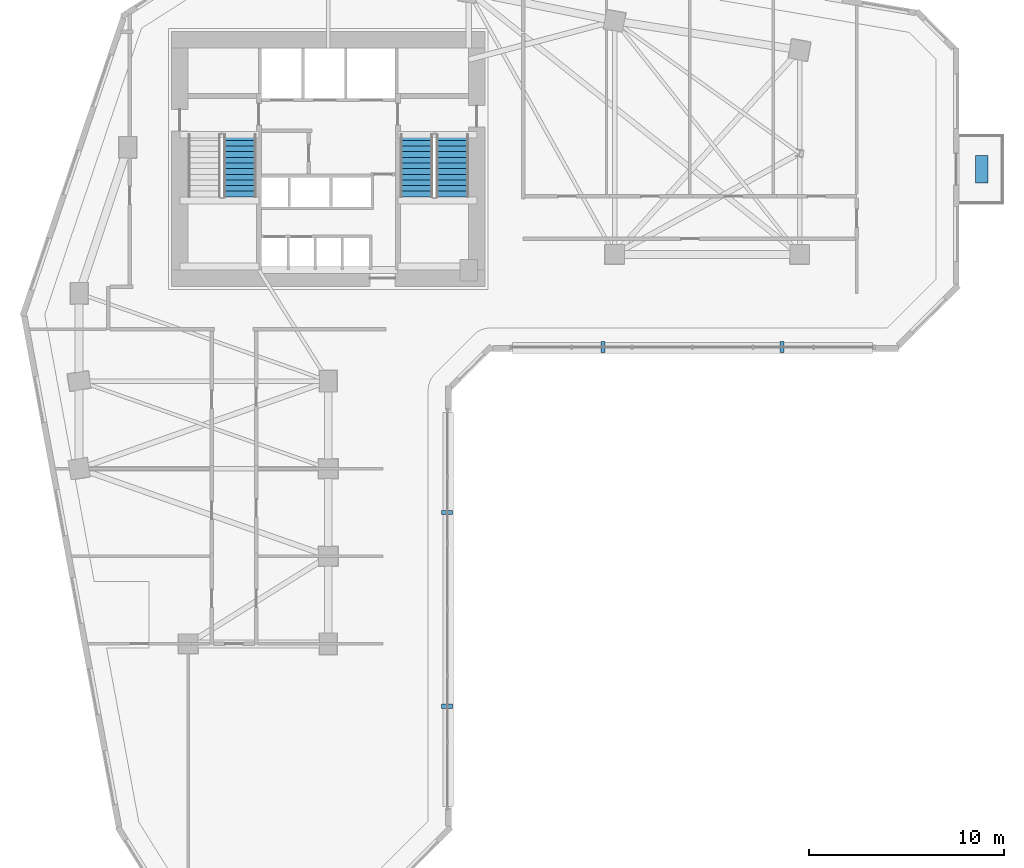
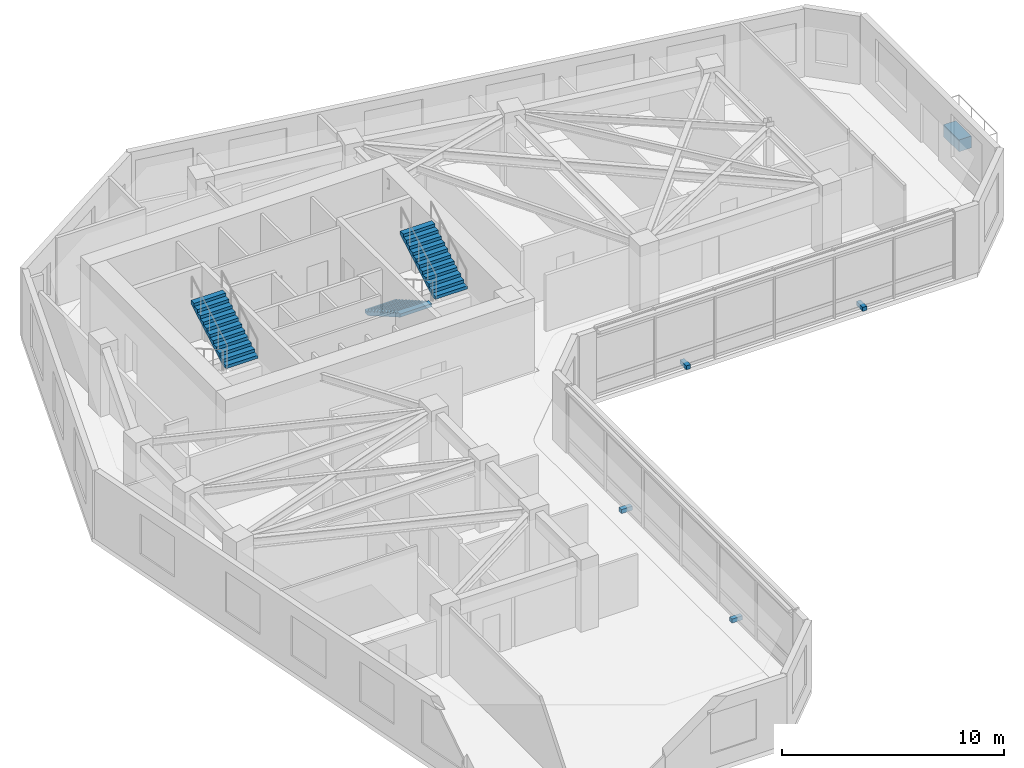
# One storey, part 8 of 11: 5 discrete accessories, 3 stair flights, 2 elements without a shape of their own.
"""IFC4 building model written with IfcOpenShell, lengths in metres."""

from ifc_helpers import new_model, si_unit, direction, frame, origin, origin_2d, place, context, subcontext, project, spatial, polyline, rectangle, outline, extrude, source, transform, mapped, material, type_object, element, aggregate, save


model = new_model("IFC4")

# Units and contexts
model_context = context("Model", 3, precision=1e-05, world=origin(), true_north=direction((0.0, 1.0)))
body_context = subcontext(model_context, "Body", "Model", "MODEL_VIEW")
ifc_project = project(units=[si_unit("LENGTHUNIT", "METRE"), si_unit("AREAUNIT", "SQUARE_METRE"), si_unit("VOLUMEUNIT", "CUBIC_METRE"), si_unit("PLANEANGLEUNIT", "RADIAN"), si_unit("MASSUNIT", "GRAM", prefix="KILO")], contexts=[model_context])

# Site, building, storey
site_placement = place(None, origin())
site = spatial("IfcSite", under=ifc_project, at=site_placement, CompositionType="ELEMENT")
building_placement = place(site_placement, origin())
building = spatial("IfcBuilding", under=site, at=building_placement, Name="Calvemar Wedge Station Tower", CompositionType="ELEMENT")
storey_placement = place(building_placement, frame((0.0, 0.0, 75.0)))
storey = spatial("IfcBuildingStorey", under=building, at=storey_placement, Name="L18", CompositionType="ELEMENT", Elevation=75.0)

# Stair, stair flight
ifc_material_1 = material(Name="Concrete C45", Category="concrete")
stair_type = type_object("IfcStairType", Name="ST-TYPE-4000", PredefinedType="HALF_TURN_STAIR", material=ifc_material_1)
stair_1_placement = place(storey_placement, origin())
stair_1 = element("IfcStair", 1, at=stair_1_placement, inside=storey, type_object=stair_type, Name="L18 Pressurized Core Exit Stair ST-C1", PredefinedType="HALF_TURN_STAIR")
stair_flight_type = type_object("IfcStairFlightType", Name="STF-TYPE-4000", PredefinedType="STRAIGHT", material=ifc_material_1)
stair_flight_1_placement = place(storey_placement, frame((19.27001953125, 37.9599609375, 2.0), z_axis=(0.0, 0.0, 1.0), x_axis=(0.0, 1.0, 0.0)))
stair_flight_1 = element("IfcStairFlight", 2, at=stair_flight_1_placement, type_object=stair_flight_type, Name="ST-C1 flight 2", NumberOfRisers=12, NumberOfTreads=11, PredefinedType="STRAIGHT", RiserHeight=0.166666667, TreadLength=0.29, context=body_context, shape_type="SweptSolid", body=[
    extrude(outline(polyline([(0.0, 0.0), (0.0, 0.166748046875), (0.2900390625, 0.166748046875), (0.2900390625, 0.333251953125), (0.580078125, 0.333251953125), (0.580078125, 0.5), (0.8701171875, 0.5), (0.8701171875, 0.666748046875), (1.159912109375, 0.666748046875), (1.159912109375, 0.833251953125), (1.449951171875, 0.833251953125), (1.449951171875, 1.0), (1.739990234375, 1.0), (1.739990234375, 1.166748046875), (2.030029296875, 1.166748046875), (2.030029296875, 1.333251953125), (2.320068359375, 1.333251953125), (2.320068359375, 1.5), (2.610107421875, 1.5), (2.610107421875, 1.666748046875), (2.89990234375, 1.666748046875), (2.89990234375, 1.833251953125), (3.18994140625, 1.833251953125), (3.18994140625, 2.0), (3.18994140625, 1.660400390625), (0.30078125, 0.0), (0.0, 0.0)])), frame((0.0, 0.830078125, 0.0), z_axis=(0.0, -1.0, 0.0), x_axis=(1.0, 0.0, 0.0)), (0.0, 0.0, 1.0), 1.659912109375),
])
aggregate(stair_1, [stair_flight_1])

# Stair, stair flights
stair_2_placement = place(storey_placement, origin())
stair_2 = element("IfcStair", 3, at=stair_2_placement, inside=storey, type_object=stair_type, Name="L18 Pressurized Core Exit Stair ST-C2", PredefinedType="HALF_TURN_STAIR")
stair_flight_2_placement = place(storey_placement, frame((28.330078125, 41.14990234375, 0.0), z_axis=(0.0, 0.0, 1.0), x_axis=(0.0, -1.0, 0.0)))
stair_flight_2 = element("IfcStairFlight", 4, at=stair_flight_2_placement, type_object=stair_flight_type, Name="ST-C2 flight 1", NumberOfRisers=12, NumberOfTreads=11, PredefinedType="STRAIGHT", RiserHeight=0.166666667, TreadLength=0.29, context=body_context, shape_type="SweptSolid", body=[
    extrude(outline(polyline([(0.0, 0.0), (0.0, 0.166748046875), (0.2900390625, 0.166748046875), (0.2900390625, 0.333251953125), (0.580078125, 0.333251953125), (0.580078125, 0.5), (0.8701171875, 0.5), (0.8701171875, 0.666748046875), (1.159912109375, 0.666748046875), (1.159912109375, 0.833251953125), (1.449951171875, 0.833251953125), (1.449951171875, 1.0), (1.739990234375, 1.0), (1.739990234375, 1.166748046875), (2.030029296875, 1.166748046875), (2.030029296875, 1.333251953125), (2.320068359375, 1.333251953125), (2.320068359375, 1.5), (2.610107421875, 1.5), (2.610107421875, 1.666748046875), (2.89990234375, 1.666748046875), (2.89990234375, 1.833251953125), (3.18994140625, 1.833251953125), (3.18994140625, 2.0), (3.18994140625, 1.660400390625), (0.30078125, 0.0), (0.0, 0.0)])), frame((0.0, 0.830078125, 0.0), z_axis=(0.0, -1.0, 0.0), x_axis=(1.0, 0.0, 0.0)), (0.0, 0.0, 1.0), 1.659912109375),
])
stair_flight_3_placement = place(storey_placement, frame((30.169921875, 37.9599609375, 2.0), z_axis=(0.0, 0.0, 1.0), x_axis=(0.0, 1.0, 0.0)))
stair_flight_3 = element("IfcStairFlight", 5, at=stair_flight_3_placement, type_object=stair_flight_type, Name="ST-C2 flight 2", NumberOfRisers=12, NumberOfTreads=11, PredefinedType="STRAIGHT", RiserHeight=0.166666667, TreadLength=0.29, context=body_context, shape_type="SweptSolid", body=[
    extrude(outline(polyline([(0.0, 0.0), (0.0, 0.166748046875), (0.2900390625, 0.166748046875), (0.2900390625, 0.333251953125), (0.580078125, 0.333251953125), (0.580078125, 0.5), (0.8701171875, 0.5), (0.8701171875, 0.666748046875), (1.159912109375, 0.666748046875), (1.159912109375, 0.833251953125), (1.449951171875, 0.833251953125), (1.449951171875, 1.0), (1.739990234375, 1.0), (1.739990234375, 1.166748046875), (2.030029296875, 1.166748046875), (2.030029296875, 1.333251953125), (2.320068359375, 1.333251953125), (2.320068359375, 1.5), (2.610107421875, 1.5), (2.610107421875, 1.666748046875), (2.89990234375, 1.666748046875), (2.89990234375, 1.833251953125), (3.18994140625, 1.833251953125), (3.18994140625, 2.0), (3.18994140625, 1.660400390625), (0.30078125, 0.0), (0.0, 0.0)])), frame((0.0, 0.830078125, 0.0), z_axis=(0.0, -1.0, 0.0), x_axis=(1.0, 0.0, 0.0)), (0.0, 0.0, 1.0), 1.659912109375),
])
aggregate(stair_2, [stair_flight_2, stair_flight_3])

# Discrete accessories
ifc_material_2 = material(Name="Stainless steel AISI 316L", Category="steel")
discrete_accessory_type_1 = type_object("IfcDiscreteAccessoryType", Name="BRK-316L", PredefinedType="BRACKET", material=ifc_material_2)
shared_shape_1 = source(origin(), body_context, "Body", "SweptSolid", [
    extrude(rectangle(XDim=0.219970703125, YDim=0.56005859375, at=origin_2d()), origin(), (0.0, 0.0, 1.0), 0.219970703125),
])
for number, where, z_axis, x_axis, name in (
    (6, (29.89794921875, 11.798095703125, 0.0), (0.0, 0.0, 1.0), (0.0, 1.0, 0.0), "Storey L18 Recessed Facade Stainless Bracket 4.1"),
    (7, (29.89794921875, 21.75439453125, 0.0), (0.0, 0.0, 1.0), (0.0, 1.0, 0.0), "Storey L18 Recessed Facade Stainless Bracket 4.2"),
    (8, (37.909912109375, 30.258056640625, 0.0), (0.0, 0.0, 1.0), (1.0, 0.0, 0.0), "Storey L18 Recessed Facade Stainless Bracket 6.1"),
    (9, (47.09375, 30.258056640625, 0.0), (0.0, 0.0, 1.0), (1.0, 0.0, 0.0), "Storey L18 Recessed Facade Stainless Bracket 6.2"),
):
    element("IfcDiscreteAccessory", number, at=place(storey_placement, frame(where, z_axis=z_axis, x_axis=x_axis)), inside=storey, type_object=discrete_accessory_type_1, Name=name, PredefinedType="BRACKET", context=body_context, shape_type="MappedRepresentation", body=[
        mapped(shared_shape_1, transform((0.0, 0.0, 0.0), scale=1.0)),
    ])
ifc_material_3 = material(Name="Precast concrete C45", Category="concrete")
discrete_accessory_type_2 = type_object("IfcDiscreteAccessoryType", Name="ACC-PLANTER", PredefinedType="USERDEFINED", material=ifc_material_3)
shared_shape_2 = source(origin(), body_context, "Body", "SweptSolid", [
    extrude(rectangle(XDim=0.64990234375, YDim=1.39990234375, at=origin_2d()), origin(), (0.0, 0.0, 1.0), 0.64990234375),
])
discrete_accessory_placement = place(storey_placement, frame((57.35009765625, 39.3779296875, 0.0), z_axis=(0.0, 0.0, 1.0), x_axis=(1.0, 0.0, 0.0)))
element("IfcDiscreteAccessory", 10, at=discrete_accessory_placement, inside=storey, type_object=discrete_accessory_type_2, Name="Storey L18 Planted Terrace GFRC Planter", ObjectType="PLANTER", PredefinedType="USERDEFINED", context=body_context, shape_type="MappedRepresentation", body=[
    mapped(shared_shape_2, transform((0.0, 0.0, 0.0), scale=1.0)),
])

save(model, "model.ifc")
